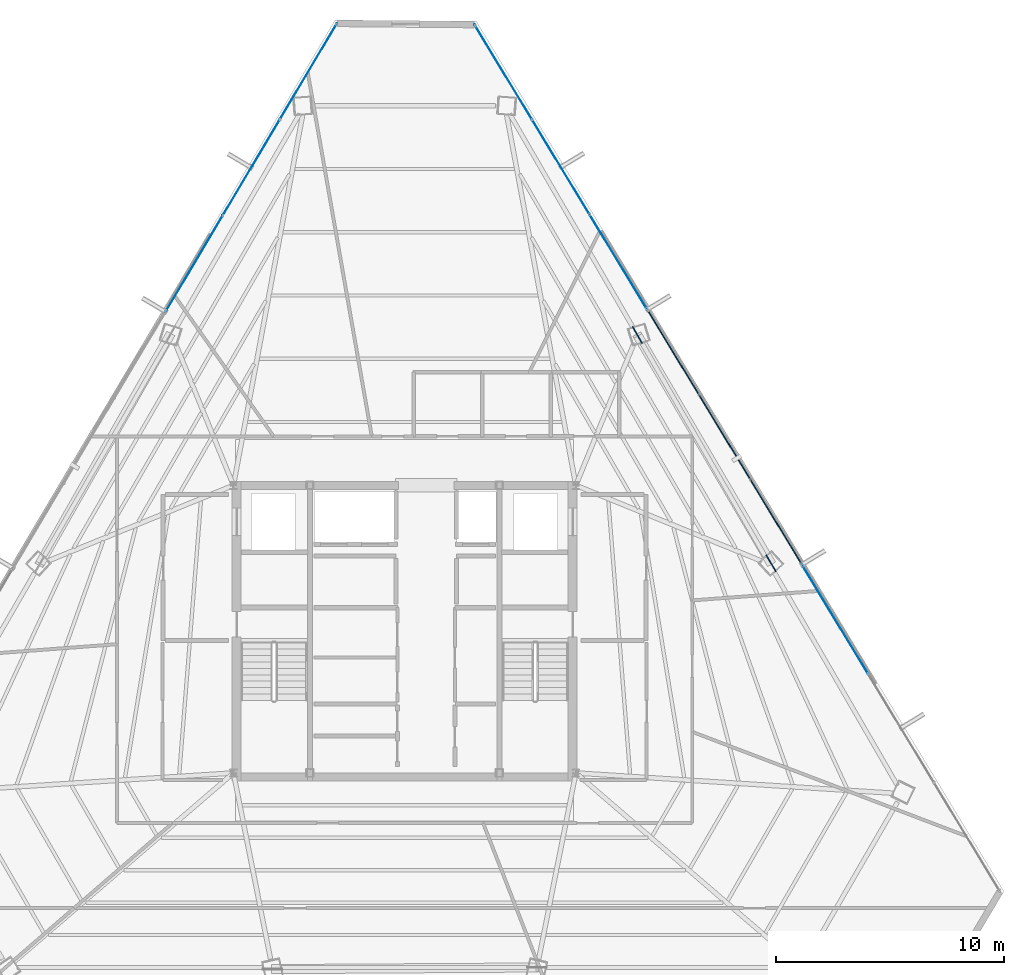
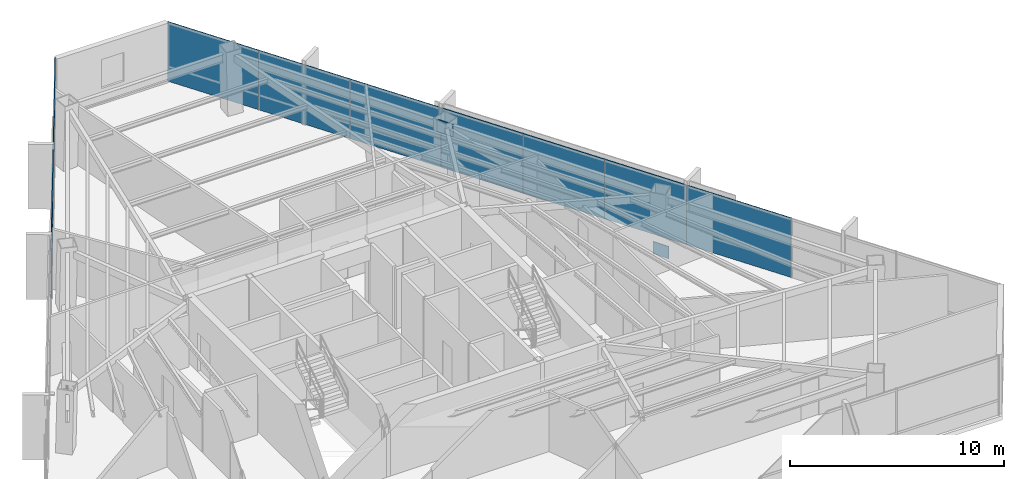
# One storey, part 40 of 47: 12 plates, 4 elements without a shape of their own.
"""IFC4 building model written with IfcOpenShell, lengths in metres."""

from ifc_helpers import new_model, si_unit, direction, frame, origin, origin_2d, place, context, subcontext, project, spatial, rectangle, extrude, source, transform, mapped, material, layer, layer_set, type_object, type_shapes, element, aggregate, save


model = new_model("IFC4")

# Units and contexts
model_context = context("Model", 3, precision=1e-05, world=origin(), true_north=direction((0.0, 1.0)))
body_context = subcontext(model_context, "Body", "Model", "MODEL_VIEW")
ifc_project = project(units=[si_unit("LENGTHUNIT", "METRE"), si_unit("AREAUNIT", "SQUARE_METRE"), si_unit("VOLUMEUNIT", "CUBIC_METRE"), si_unit("PLANEANGLEUNIT", "RADIAN"), si_unit("MASSUNIT", "GRAM", prefix="KILO")], contexts=[model_context])

# Site, building, storey
site_placement = place(None, origin())
site = spatial("IfcSite", under=ifc_project, at=site_placement, CompositionType="ELEMENT")
building_placement = place(site_placement, origin())
building = spatial("IfcBuilding", under=site, at=building_placement, Name="Caelisora Broadcast Tower", CompositionType="ELEMENT")
storey_placement = place(building_placement, frame((0.0, 0.0, 229.85009765625)))
storey = spatial("IfcBuildingStorey", under=building, at=storey_placement, Name="L60", CompositionType="ELEMENT", Elevation=229.85009765625)

# Plates
ifc_material_1 = material(Name="Steel Grade 350 L15 (AS/NZS 3678)", Category="steel")
ifc_layer_1 = layer(ifc_material_1, 0.0400390625, Name="Steel Grade 350 L15 (AS/NZS 3678)")
ifc_layer_set_1 = layer_set([ifc_layer_1], Name="Steel Grade 350 L15 (AS/NZS 3678)")
plate_type_1 = type_object("IfcPlateType", Name="GP04", PredefinedType="USERDEFINED", material=ifc_layer_set_1)
shared_shape_1 = source(origin(), body_context, "Body", "SweptSolid", [
    extrude(rectangle(XDim=0.85009765625, YDim=0.0400390625, at=origin_2d()), origin(), (0.0, 0.0, 1.0), 0.699951171875),
])
type_shapes(plate_type_1, [shared_shape_1])
for number, where, z_axis, x_axis, name in (
    (1, (54.051025390625, 26.586669921875, -0.22998046875), (0.0, 0.0, 1.0), (-0.5, 0.866025403784, 0.0), "L60 gusset plate GP04 (ND-L60-C10B)"),
    (2, (48.19482421875, 36.585205078125, 2.72998046875), (0.0, 0.0, 1.0), (-0.5, 0.866025403784, 0.0), "L60 gusset plate GP04 (ND-L60-C11T)"),
):
    element("IfcPlate", number, at=place(storey_placement, frame(where, z_axis=z_axis, x_axis=x_axis)), inside=storey, type_object=plate_type_1, Name=name, ObjectType="GUSSET PLATE", PredefinedType="USERDEFINED", context=body_context, shape_type="MappedRepresentation", body=[
        mapped(shared_shape_1, transform((0.0, 0.0, 0.0), scale=1.0)),
    ])

# Curtain wall, plates
ifc_material_2 = material(Name="Unitised Aluminium and Low-E Glass Curtain Wall", Category="glass")
curtain_wall_type_1 = type_object("IfcCurtainWallType", Name="CW-Z5", PredefinedType="NOTDEFINED", material=ifc_material_2)
curtain_wall_1_placement = place(storey_placement, origin())
curtain_wall_1 = element("IfcCurtainWall", 3, at=curtain_wall_1_placement, inside=storey, type_object=curtain_wall_type_1, Name="L60 curtain wall CW-Z5", PredefinedType="NOTDEFINED")
ifc_material_3 = material(Name="Double Glazed Low-E Argon IGU", Category="glass")
ifc_layer_2 = layer(ifc_material_3, 0.028076171875, Name="Double Glazed Low-E Argon IGU")
ifc_layer_set_2 = layer_set([ifc_layer_2], Name="Double Glazed Low-E Argon IGU")
plate_type_2 = type_object("IfcPlateType", Name="CWP-06", PredefinedType="CURTAIN_PANEL", material=ifc_layer_set_2)
shared_shape_2 = source(origin(), body_context, "Body", "SweptSolid", [
    extrude(rectangle(XDim=4.863037109375, YDim=0.028076171875, at=origin_2d()), origin(), (0.0, 0.0, 1.0), 3.39990234375),
])
plate_1_placement = place(storey_placement, frame((42.321533203125, 48.103759765625, 0.0), z_axis=(0.0, 0.0, 1.0), x_axis=(0.518474806022, -0.855092904614, 0.0)))
plate_1 = element("IfcPlate", 4, at=plate_1_placement, type_object=plate_type_2, Name="L60-CW-B01 glazed panel #1", PredefinedType="CURTAIN_PANEL", context=body_context, shape_type="MappedRepresentation", body=[
    mapped(shared_shape_2, transform((0.0, 0.0, 0.0), scale=1.0)),
])
plate_2_placement = place(storey_placement, frame((44.8427734375, 43.9453125, 0.0), z_axis=(0.0, 0.0, 1.0), x_axis=(0.518474806022, -0.855092904614, 0.0)))
plate_2 = element("IfcPlate", 5, at=plate_2_placement, type_object=plate_type_2, Name="L60-CW-B01 glazed panel #2", PredefinedType="CURTAIN_PANEL", context=body_context, shape_type="MappedRepresentation", body=[
    mapped(shared_shape_2, transform((0.0, 0.0, 0.0), scale=1.0)),
])
plate_3_placement = place(storey_placement, frame((47.364013671875, 39.787109375, 0.0), z_axis=(0.0, 0.0, 1.0), x_axis=(0.518474806022, -0.855092904614, 0.0)))
plate_3 = element("IfcPlate", 6, at=plate_3_placement, type_object=plate_type_2, Name="L60-CW-B01 glazed panel #3", PredefinedType="CURTAIN_PANEL", context=body_context, shape_type="MappedRepresentation", body=[
    mapped(shared_shape_2, transform((0.0, 0.0, 0.0), scale=1.0)),
])
aggregate(curtain_wall_1, [plate_1, plate_2, plate_3])

ifc_material_4 = material(Name="Unitised Aluminium Insulated Shadow-Box Spandrel Curtain Wall", Category="aluminium")
curtain_wall_type_2 = type_object("IfcCurtainWallType", Name="CW-SP3", PredefinedType="NOTDEFINED", material=ifc_material_4)
curtain_wall_2_placement = place(storey_placement, origin())
curtain_wall_2 = element("IfcCurtainWall", 7, at=curtain_wall_2_placement, inside=storey, type_object=curtain_wall_type_2, Name="L60 curtain wall CW-SP3", PredefinedType="NOTDEFINED")
ifc_material_5 = material(Name="Insulated Terracotta Shadow-Box Spandrel Panel", Category="aluminium")
ifc_layer_3 = layer(ifc_material_5, 0.0439453125, Name="Insulated Terracotta Shadow-Box Spandrel Panel")
ifc_layer_set_3 = layer_set([ifc_layer_3], Name="Insulated Terracotta Shadow-Box Spandrel Panel")
plate_type_3 = type_object("IfcPlateType", Name="CWP-10", PredefinedType="CURTAIN_PANEL", material=ifc_layer_set_3)
shared_shape_3 = source(origin(), body_context, "Body", "SweptSolid", [
    extrude(rectangle(XDim=4.352783203125, YDim=0.0439453125, at=origin_2d()), origin(), (0.0, 0.0, 1.0), 3.39990234375),
])
type_shapes(plate_type_3, [shared_shape_3])
plate_4_placement = place(storey_placement, frame((49.7578125, 35.838134765625, 0.0), z_axis=(0.0, 0.0, 1.0), x_axis=(0.518474806022, -0.855092904614, 0.0)))
plate_4 = element("IfcPlate", 8, at=plate_4_placement, type_object=plate_type_3, Name="L60-CW-B02 spandrel panel #1", PredefinedType="CURTAIN_PANEL", context=body_context, shape_type="MappedRepresentation", body=[
    mapped(shared_shape_3, transform((0.0, 0.0, 0.0), scale=1.0)),
])
plate_5_placement = place(storey_placement, frame((52.0146484375, 32.1162109375, 0.0), z_axis=(0.0, 0.0, 1.0), x_axis=(0.518474806022, -0.855092904614, 0.0)))
plate_5 = element("IfcPlate", 9, at=plate_5_placement, type_object=plate_type_3, Name="L60-CW-B02 spandrel panel #2", PredefinedType="CURTAIN_PANEL", context=body_context, shape_type="MappedRepresentation", body=[
    mapped(shared_shape_3, transform((0.0, 0.0, 0.0), scale=1.0)),
])
plate_6_placement = place(storey_placement, frame((54.271240234375, 28.39404296875, 0.0), z_axis=(0.0, 0.0, 1.0), x_axis=(0.518474806022, -0.855092904614, 0.0)))
plate_6 = element("IfcPlate", 10, at=plate_6_placement, type_object=plate_type_3, Name="L60-CW-B02 spandrel panel #3", PredefinedType="CURTAIN_PANEL", context=body_context, shape_type="MappedRepresentation", body=[
    mapped(shared_shape_3, transform((0.0, 0.0, 0.0), scale=1.0)),
])
aggregate(curtain_wall_2, [plate_4, plate_5, plate_6])

# Curtain wall, plate
curtain_wall_3_placement = place(storey_placement, origin())
curtain_wall_3 = element("IfcCurtainWall", 11, at=curtain_wall_3_placement, inside=storey, type_object=curtain_wall_type_1, Name="L60 curtain wall CW-Z5", PredefinedType="NOTDEFINED")
shared_shape_4 = source(origin(), body_context, "Body", "SweptSolid", [
    extrude(rectangle(XDim=5.5791015625, YDim=0.028076171875, at=origin_2d()), origin(), (0.0, 0.0, 1.0), 3.39990234375),
])
plate_7_placement = place(storey_placement, frame((56.850830078125, 24.138916015625, 0.0), z_axis=(0.0, 0.0, 1.0), x_axis=(0.518474806022, -0.855092904614, 0.0)))
plate_7 = element("IfcPlate", 12, at=plate_7_placement, type_object=plate_type_2, Name="L60-CW-B03 glazed panel #1", PredefinedType="CURTAIN_PANEL", context=body_context, shape_type="MappedRepresentation", body=[
    mapped(shared_shape_4, transform((0.0, 0.0, 0.0), scale=1.0)),
])
aggregate(curtain_wall_3, [plate_7])

# Curtain wall, plates
curtain_wall_4_placement = place(storey_placement, origin())
curtain_wall_4 = element("IfcCurtainWall", 13, at=curtain_wall_4_placement, inside=storey, type_object=curtain_wall_type_1, Name="L60 curtain wall CW-Z5", PredefinedType="NOTDEFINED")
shared_shape_5 = source(origin(), body_context, "Body", "SweptSolid", [
    extrude(rectangle(XDim=4.896728515625, YDim=0.028076171875, at=origin_2d()), origin(), (0.0, 0.0, 1.0), 3.39990234375),
])
type_shapes(plate_type_2, [shared_shape_2, shared_shape_4, shared_shape_5])
plate_8_placement = place(storey_placement, frame((28.7802734375, 39.712158203125, 0.0), z_axis=(0.0, 0.0, 1.0), x_axis=(0.510843031866, 0.859674006117, 0.0)))
plate_8 = element("IfcPlate", 14, at=plate_8_placement, type_object=plate_type_2, Name="L60-CW-B11 glazed panel #1", PredefinedType="CURTAIN_PANEL", context=body_context, shape_type="MappedRepresentation", body=[
    mapped(shared_shape_5, transform((0.0, 0.0, 0.0), scale=1.0)),
])
plate_9_placement = place(storey_placement, frame((31.28173828125, 43.921630859375, 0.0), z_axis=(0.0, 0.0, 1.0), x_axis=(0.510843031866, 0.859674006117, 0.0)))
plate_9 = element("IfcPlate", 15, at=plate_9_placement, type_object=plate_type_2, Name="L60-CW-B11 glazed panel #2", PredefinedType="CURTAIN_PANEL", context=body_context, shape_type="MappedRepresentation", body=[
    mapped(shared_shape_5, transform((0.0, 0.0, 0.0), scale=1.0)),
])
plate_10_placement = place(storey_placement, frame((33.783203125, 48.131103515625, 0.0), z_axis=(0.0, 0.0, 1.0), x_axis=(0.510843031866, 0.859674006117, 0.0)))
plate_10 = element("IfcPlate", 16, at=plate_10_placement, type_object=plate_type_2, Name="L60-CW-B11 glazed panel #3", PredefinedType="CURTAIN_PANEL", context=body_context, shape_type="MappedRepresentation", body=[
    mapped(shared_shape_5, transform((0.0, 0.0, 0.0), scale=1.0)),
])
aggregate(curtain_wall_4, [plate_8, plate_9, plate_10])

save(model, "model.ifc")
